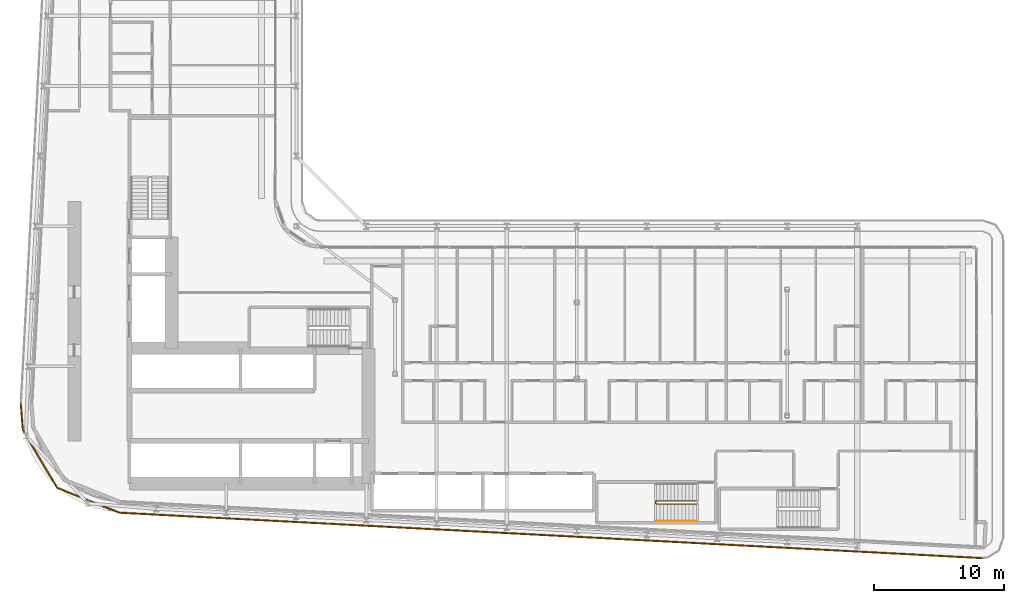
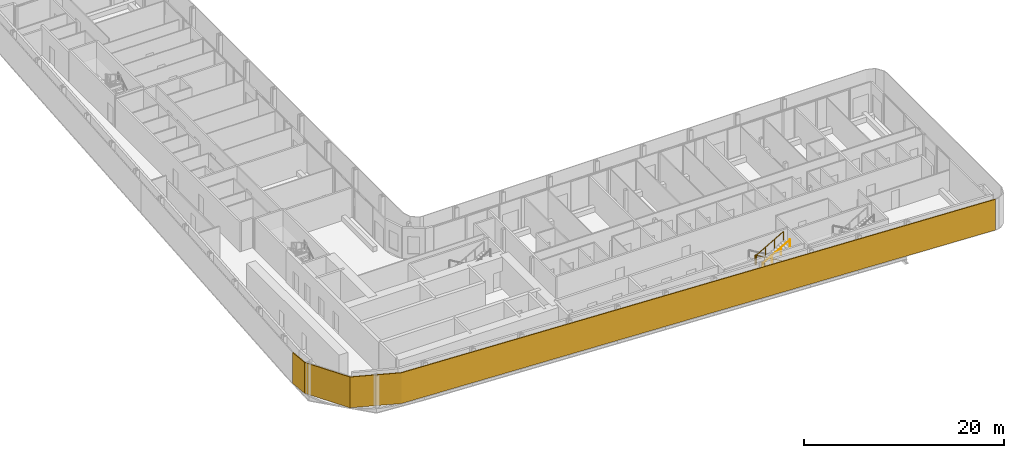
# One storey, part 24 of 28: 2 railings, 1 shading device.
"""IFC4 building model written with IfcOpenShell, lengths in metres."""

from ifc_helpers import new_model, si_unit, direction, frame, origin, origin_2d, place, context, subcontext, project, spatial, polyline, circle, outline, extrude, material, layer, layer_set, type_object, element, save


model = new_model("IFC4")

# Units and contexts
model_context = context("Model", 3, precision=1e-05, world=origin(), true_north=direction((0.0, 1.0)))
body_context = subcontext(model_context, "Body", "Model", "MODEL_VIEW")
ifc_project = project(units=[si_unit("LENGTHUNIT", "METRE"), si_unit("AREAUNIT", "SQUARE_METRE"), si_unit("VOLUMEUNIT", "CUBIC_METRE"), si_unit("PLANEANGLEUNIT", "RADIAN"), si_unit("MASSUNIT", "GRAM", prefix="KILO")], contexts=[model_context])

# Site, building, storey
site_placement = place(None, origin())
site = spatial("IfcSite", under=ifc_project, at=site_placement, CompositionType="ELEMENT")
building_placement = place(site_placement, origin())
building = spatial("IfcBuilding", under=site, at=building_placement, Name="Kheshtan School and Residences Tower", CompositionType="ELEMENT")
storey_placement = place(building_placement, frame((0.0, 0.0, 77.300048828125)))
storey = spatial("IfcBuildingStorey", under=building, at=storey_placement, Name="L18", CompositionType="ELEMENT", Elevation=77.300048828125)

# Shading device
ifc_material_1 = material(Name="Terracotta baguette, extruded ceramic", Category="masonry")
ifc_layer = layer(ifc_material_1, 0.10009765625)
ifc_layer_set = layer_set([ifc_layer], Name="Ledge screen, terracotta baguettes")
shading_device_type = type_object("IfcShadingDeviceType", Name="Ledge screen, terracotta baguettes", PredefinedType="USERDEFINED", material=ifc_layer_set)
shading_device_placement = place(storey_placement, origin())
element("IfcShadingDevice", 1, at=shading_device_placement, inside=storey, type_object=shading_device_type, Name="Screen L18 3", ObjectType="BAGUETTE", PredefinedType="USERDEFINED", context=body_context, shape_type="SweptSolid", body=[
    extrude(outline(polyline([(100.4208984375, 20.0830078125), (33.989013671875, 23.580078125), (29.2119140625, 25.486083984375), (26.583984375, 29.906982421875), (26.419921875, 31.989013671875), (26.320068359375, 31.98095703125), (26.486083984375, 29.8759765625), (29.14306640625, 25.406005859375), (33.967041015625, 23.48095703125), (100.416015625, 19.98291015625), (100.4208984375, 20.0830078125)])), origin(), (0.0, 0.0, 1.0), 3.75),
])

# Railings
ifc_material_2 = material(Name="Stainless steel balustrade", Category="steel")
railing_type_1 = type_object("IfcRailingType", Name="Stair guard 1100", PredefinedType="GUARDRAIL", material=ifc_material_2)
railing_1_placement = place(storey_placement, frame((78.409912109375, 24.449951171875, 0.162353515625)))
element("IfcRailing", 2, at=railing_1_placement, inside=storey, type_object=railing_type_1, Name="L18 ST5 stair guard 1", PredefinedType="GUARDRAIL", context=body_context, shape_type="SweptSolid", body=[
    extrude(circle(Radius=0.02392578125, at=origin_2d()), frame((0.0, 0.0, 1.076171875), z_axis=(-0.864873446163, 0.0, 0.501989962173), x_axis=(0.0, -1.0, 0.0)), (0.0, 0.0, 1.0), 3.56103515625),
    extrude(circle(Radius=0.02392578125, at=origin_2d()), frame((-3.079833984375, 0.0, 2.86376953125), z_axis=(-0.707106781187, -0.707106781187, 0.0), x_axis=(0.707106781187, -0.707106781187, 0.0)), (0.0, 0.0, 1.0), 0.07080078125),
    extrude(circle(Radius=0.02392578125, at=origin_2d()), frame((-3.1298828125, -0.050048828125, 2.86376953125), z_axis=(0.0, -1.0, 0.0), x_axis=(1.0, 0.0, 0.0)), (0.0, 0.0, 1.0), 0.14990234375),
    extrude(circle(Radius=0.02392578125, at=origin_2d()), frame((-3.1298828125, -0.199951171875, 2.86376953125), z_axis=(0.282227285176, -0.282227285176, 0.916894497205), x_axis=(0.707106781187, 0.707106781187, 0.0)), (0.0, 0.0, 1.0), 0.17724609375),
    extrude(circle(Radius=0.02392578125, at=origin_2d()), frame((-3.079833984375, -0.25, 3.0263671875), z_axis=(0.864903211148, 0.0, 0.501938676878), x_axis=(0.0, 1.0, 0.0)), (0.0, 0.0, 1.0), 3.560791015625),
    extrude(circle(Radius=0.02099609375, at=origin_2d()), origin(), (0.0, 0.0, 1.0), 1.052001953125),
    extrude(circle(Radius=0.02099609375, at=origin_2d()), frame((-1.026611328125, 0.0, 0.595947265625)), (0.0, 0.0, 1.0), 1.052001953125),
    extrude(circle(Radius=0.02099609375, at=origin_2d()), frame((-2.05322265625, 0.0, 1.191650390625)), (0.0, 0.0, 1.0), 1.052001953125),
    extrude(circle(Radius=0.02099609375, at=origin_2d()), frame((-3.079833984375, 0.0, 1.78759765625)), (0.0, 0.0, 1.0), 1.052001953125),
    extrude(circle(Radius=0.02099609375, at=origin_2d()), frame((-3.1298828125, -0.050048828125, 1.78759765625)), (0.0, 0.0, 1.0), 1.052001953125),
    extrude(circle(Radius=0.02099609375, at=origin_2d()), frame((-3.1298828125, -0.199951171875, 1.78759765625)), (0.0, 0.0, 1.0), 1.052001953125),
    extrude(circle(Radius=0.02099609375, at=origin_2d()), frame((-3.079833984375, -0.25, 1.9501953125)), (0.0, 0.0, 1.0), 1.052001953125),
    extrude(circle(Radius=0.02099609375, at=origin_2d()), frame((-2.05322265625, -0.25, 2.5458984375)), (0.0, 0.0, 1.0), 1.052001953125),
    extrude(circle(Radius=0.02099609375, at=origin_2d()), frame((-1.026611328125, -0.25, 3.141845703125)), (0.0, 0.0, 1.0), 1.052001953125),
    extrude(circle(Radius=0.02099609375, at=origin_2d()), frame((0.0, -0.25, 3.737548828125)), (0.0, 0.0, 1.0), 1.052001953125),
])
ifc_material_3 = material(Name="Stainless steel handrail", Category="steel")
railing_type_2 = type_object("IfcRailingType", Name="Stair handrail 900", PredefinedType="HANDRAIL", material=ifc_material_3)
railing_2_placement = place(storey_placement, frame((75.330078125, 22.89990234375, 2.112548828125)))
element("IfcRailing", 3, at=railing_2_placement, inside=storey, type_object=railing_type_2, Name="L18 ST5 stair handrail 2", PredefinedType="HANDRAIL", context=body_context, shape_type="SweptSolid", body=[
    extrude(circle(Radius=0.02392578125, at=origin_2d()), frame((0.0, 0.0, 0.8759765625), z_axis=(0.864903211148, 0.0, 0.501938676878), x_axis=(0.0, 1.0, 0.0)), (0.0, 0.0, 1.0), 3.560791015625),
    extrude(circle(Radius=0.02099609375, at=origin_2d()), origin(), (0.0, 0.0, 1.0), 0.851806640625),
    extrude(circle(Radius=0.02099609375, at=origin_2d()), frame((1.026611328125, 0.0, 0.595703125)), (0.0, 0.0, 1.0), 0.851806640625),
    extrude(circle(Radius=0.02099609375, at=origin_2d()), frame((2.05322265625, 0.0, 1.191650390625)), (0.0, 0.0, 1.0), 0.851806640625),
    extrude(circle(Radius=0.02099609375, at=origin_2d()), frame((3.079833984375, 0.0, 1.787353515625)), (0.0, 0.0, 1.0), 0.851806640625),
])

save(model, "model.ifc")
